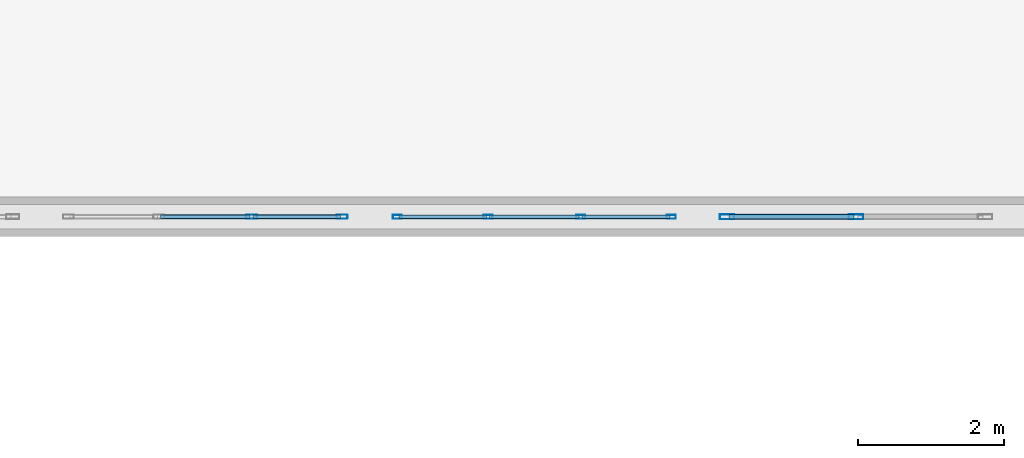
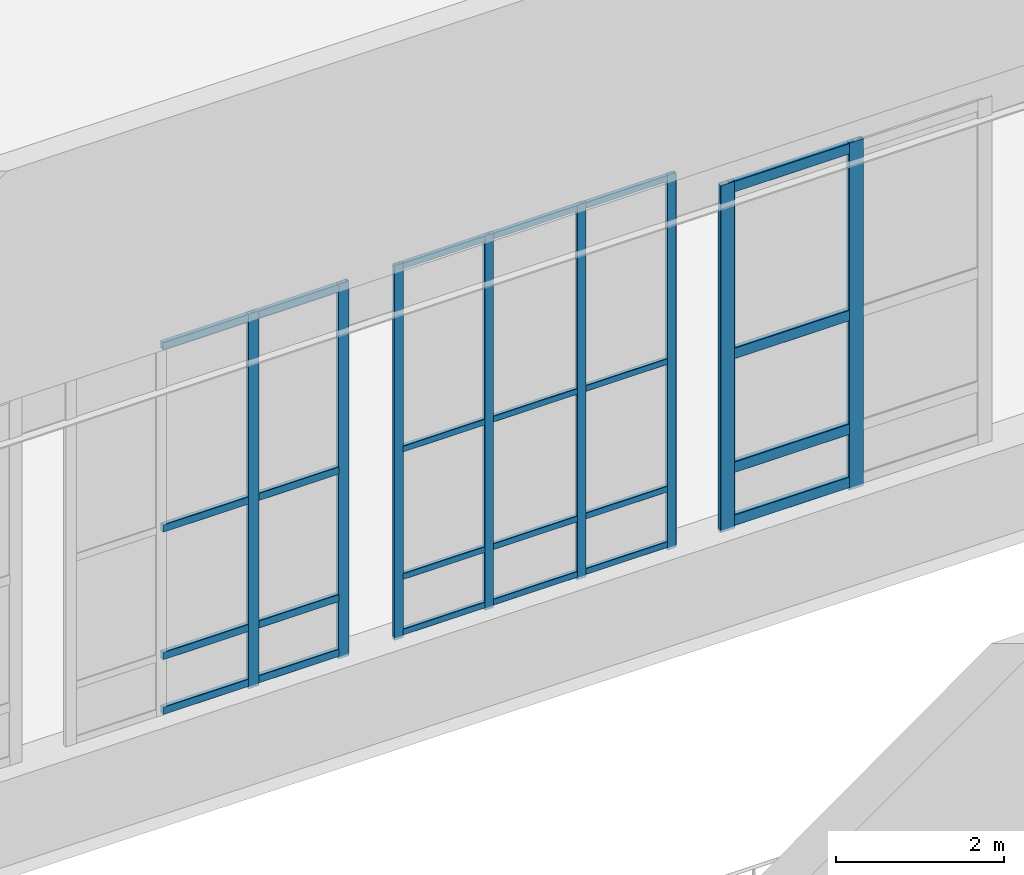
# One storey, part 21 of 97: 32 members, 3 elements without a shape of their own.
"""IFC4 building model written with IfcOpenShell, lengths in metres."""

from ifc_helpers import new_model, si_unit, derived_unit, direction, frame, origin, origin_2d, place, context, subcontext, project, spatial, hollow_rectangle, extrude, material, layer, layer_set, material_profile, profile_set, type_object, element, aggregate, save


model = new_model("IFC4")

# Units and contexts
model_context = context("Model", 3, precision=1e-05, world=origin(), true_north=direction((0.0, 1.0)))
body_context = subcontext(model_context, "Body", "Model", "MODEL_VIEW")
ifc_project = project(units=[si_unit("LENGTHUNIT", "METRE"), si_unit("AREAUNIT", "SQUARE_METRE"), si_unit("VOLUMEUNIT", "CUBIC_METRE"), si_unit("PLANEANGLEUNIT", "RADIAN"), si_unit("MASSUNIT", "GRAM", prefix="KILO"), derived_unit("THERMALTRANSMITTANCEUNIT", [(si_unit("POWERUNIT", "WATT"), 1), (si_unit("LENGTHUNIT", "METRE"), -2), (si_unit("THERMODYNAMICTEMPERATUREUNIT", "KELVIN"), -1)])], contexts=[model_context])

# Site, building, storey
site_placement = place(None, origin())
site = spatial("IfcSite", under=ifc_project, at=site_placement, CompositionType="ELEMENT")
building_placement = place(site_placement, origin())
building = spatial("IfcBuilding", under=site, at=building_placement, Name="Almenara Railside Exhibition Hall", CompositionType="ELEMENT")
storey_placement = place(building_placement, frame((0.0, 0.0, 10.800048828125)))
storey = spatial("IfcBuildingStorey", under=building, at=storey_placement, Name="L02", CompositionType="ELEMENT", Elevation=10.800048828125)

# Curtain wall, members
ifc_material_1 = material(Name="Bronze-anodised aluminium and low-E double glazing", Category="aluminium")
ifc_layer_1 = layer(ifc_material_1, 0.179931640625, Name="Bronze-anodised aluminium and low-E double glazing")
ifc_layer_set_1 = layer_set([ifc_layer_1], Name="Bronze-anodised aluminium and low-E double glazing")
curtain_wall_type_1 = type_object("IfcCurtainWallType", Name="Scroll Gable Tall Curtain Wall 3800x5400", PredefinedType="NOTDEFINED", material=ifc_layer_set_1)
curtain_wall_1_placement = place(storey_placement, origin())
curtain_wall_1 = element("IfcCurtainWall", 1, at=curtain_wall_1_placement, inside=storey, type_object=curtain_wall_type_1, Name="Curtain wall CW-G1-035", PredefinedType="NOTDEFINED")
ifc_material_2 = material(Name="Bronze-anodised aluminium", Category="aluminium")
ifc_material_profile_1 = material_profile(ifc_material_2, hollow_rectangle(XDim=0.054931640625, YDim=0.125, WallThickness=0.0029296875, InnerFilletRadius=0.0029296875, OuterFilletRadius=0.006103515625, at=origin_2d()), Name="ALU-MUL 55x125x3")
ifc_profile_set_1 = profile_set([ifc_material_profile_1], Name="Bronze-anodised aluminium")
member_type_1 = type_object("IfcMemberType", Name="Curtain Wall Mullion 55x125x3", PredefinedType="MULLION", material=ifc_profile_set_1)
member_1_placement = place(storey_placement, frame((41.2275390625, 48.0, 1.21484375), z_axis=(0.0, 0.0, 1.0), x_axis=(0.0, 1.0, 0.0)))
member_1 = element("IfcMember", 2, at=member_1_placement, type_object=member_type_1, Name="CW-G1-035 mullion 1", PredefinedType="MULLION", context=body_context, shape_type="SweptSolid", body=[
    extrude(hollow_rectangle(XDim=0.054931640625, YDim=0.125, WallThickness=0.0029296875, InnerFilletRadius=0.0029296875, OuterFilletRadius=0.006103515625, at=origin_2d()), origin(), (0.0, 0.0, 1.0), 5.43505859375),
])
member_2_placement = place(storey_placement, frame((42.466552734375, 48.0, 1.21484375), z_axis=(0.0, 0.0, 1.0), x_axis=(0.0, 1.0, 0.0)))
member_2 = element("IfcMember", 3, at=member_2_placement, type_object=member_type_1, Name="CW-G1-035 mullion 2", PredefinedType="MULLION", context=body_context, shape_type="SweptSolid", body=[
    extrude(hollow_rectangle(XDim=0.054931640625, YDim=0.125, WallThickness=0.0029296875, InnerFilletRadius=0.0029296875, OuterFilletRadius=0.006103515625, at=origin_2d()), origin(), (0.0, 0.0, 1.0), 5.43505859375),
])
member_3_placement = place(storey_placement, frame((43.7333984375, 48.0, 1.21484375), z_axis=(0.0, 0.0, 1.0), x_axis=(0.0, 1.0, 0.0)))
member_3 = element("IfcMember", 4, at=member_3_placement, type_object=member_type_1, Name="CW-G1-035 mullion 3", PredefinedType="MULLION", context=body_context, shape_type="SweptSolid", body=[
    extrude(hollow_rectangle(XDim=0.054931640625, YDim=0.125, WallThickness=0.0029296875, InnerFilletRadius=0.0029296875, OuterFilletRadius=0.006103515625, at=origin_2d()), origin(), (0.0, 0.0, 1.0), 5.43505859375),
])
member_4_placement = place(storey_placement, frame((44.972412109375, 48.0, 1.21484375), z_axis=(0.0, 0.0, 1.0), x_axis=(0.0, 1.0, 0.0)))
member_4 = element("IfcMember", 5, at=member_4_placement, type_object=member_type_1, Name="CW-G1-035 mullion 4", PredefinedType="MULLION", context=body_context, shape_type="SweptSolid", body=[
    extrude(hollow_rectangle(XDim=0.054931640625, YDim=0.125, WallThickness=0.0029296875, InnerFilletRadius=0.0029296875, OuterFilletRadius=0.006103515625, at=origin_2d()), origin(), (0.0, 0.0, 1.0), 5.43505859375),
])

curtain_wall_2_placement = place(storey_placement, origin())
curtain_wall_2 = element("IfcCurtainWall", 6, at=curtain_wall_2_placement, inside=storey, type_object=curtain_wall_type_1, Name="Curtain wall CW-G1-034", PredefinedType="NOTDEFINED")
ifc_material_profile_2 = material_profile(ifc_material_2, hollow_rectangle(XDim=0.06005859375, YDim=0.14990234375, WallThickness=0.00341796875, InnerFilletRadius=0.00341796875, OuterFilletRadius=0.007080078125, at=origin_2d()), Name="ALU-MUL 60x150x3.5")
ifc_profile_set_2 = profile_set([ifc_material_profile_2], Name="Bronze-anodised aluminium")
member_type_2 = type_object("IfcMemberType", Name="Curtain Wall Mullion 60x150x3.5", PredefinedType="MULLION", material=ifc_profile_set_2)
member_5_placement = place(storey_placement, frame((39.2333984375, 48.0, 1.21484375), z_axis=(0.0, 0.0, 1.0), x_axis=(0.0, 1.0, 0.0)))
member_5 = element("IfcMember", 7, at=member_5_placement, type_object=member_type_2, Name="CW-G1-034 mullion 3", PredefinedType="MULLION", context=body_context, shape_type="SweptSolid", body=[
    extrude(hollow_rectangle(XDim=0.06005859375, YDim=0.14990234375, WallThickness=0.00341796875, InnerFilletRadius=0.00341796875, OuterFilletRadius=0.007080078125, at=origin_2d()), origin(), (0.0, 0.0, 1.0), 5.43505859375),
])
member_6_placement = place(storey_placement, frame((40.469970703125, 48.0, 1.21484375), z_axis=(0.0, 0.0, 1.0), x_axis=(0.0, 1.0, 0.0)))
member_6 = element("IfcMember", 8, at=member_6_placement, type_object=member_type_2, Name="CW-G1-034 mullion 4", PredefinedType="MULLION", context=body_context, shape_type="SweptSolid", body=[
    extrude(hollow_rectangle(XDim=0.06005859375, YDim=0.14990234375, WallThickness=0.00341796875, InnerFilletRadius=0.00341796875, OuterFilletRadius=0.007080078125, at=origin_2d()), origin(), (0.0, 0.0, 1.0), 5.43505859375),
])

ifc_layer_2 = layer(ifc_material_1, 0.179931640625, Name="Bronze-anodised aluminium and low-E double glazing")
ifc_layer_set_2 = layer_set([ifc_layer_2], Name="Bronze-anodised aluminium and low-E double glazing")
curtain_wall_type_2 = type_object("IfcCurtainWallType", Name="Scroll Gable Standard Curtain Wall 3600x5000", PredefinedType="NOTDEFINED", material=ifc_layer_set_2)
curtain_wall_3_placement = place(storey_placement, origin())
curtain_wall_3 = element("IfcCurtainWall", 9, at=curtain_wall_3_placement, inside=storey, type_object=curtain_wall_type_2, Name="Curtain wall CW-G2-036", PredefinedType="NOTDEFINED")
ifc_material_profile_3 = material_profile(ifc_material_2, hollow_rectangle(XDim=0.070068359375, YDim=0.199951171875, WallThickness=0.00439453125, InnerFilletRadius=0.00439453125, OuterFilletRadius=0.009033203125, at=origin_2d()), Name="ALU-MUL 70x200x4.5")
ifc_profile_set_3 = profile_set([ifc_material_profile_3], Name="Bronze-anodised aluminium")
member_type_3 = type_object("IfcMemberType", Name="Curtain Wall Mullion 70x200x4.5", PredefinedType="MULLION", material=ifc_profile_set_3)
member_7_placement = place(storey_placement, frame((45.735107421875, 48.0, 1.21484375), z_axis=(0.0, 0.0, 1.0), x_axis=(0.0, 1.0, 0.0)))
member_7 = element("IfcMember", 10, at=member_7_placement, type_object=member_type_3, Name="CW-G2-036 mullion 1", PredefinedType="MULLION", context=body_context, shape_type="SweptSolid", body=[
    extrude(hollow_rectangle(XDim=0.070068359375, YDim=0.199951171875, WallThickness=0.00439453125, InnerFilletRadius=0.00439453125, OuterFilletRadius=0.009033203125, at=origin_2d()), origin(), (0.0, 0.0, 1.0), 5.03515625),
])
member_8_placement = place(storey_placement, frame((47.5, 48.0, 1.21484375), z_axis=(0.0, 0.0, 1.0), x_axis=(0.0, 1.0, 0.0)))
member_8 = element("IfcMember", 11, at=member_8_placement, type_object=member_type_3, Name="CW-G2-036 mullion 2", PredefinedType="MULLION", context=body_context, shape_type="SweptSolid", body=[
    extrude(hollow_rectangle(XDim=0.070068359375, YDim=0.199951171875, WallThickness=0.00439453125, InnerFilletRadius=0.00439453125, OuterFilletRadius=0.009033203125, at=origin_2d()), origin(), (0.0, 0.0, 1.0), 5.03515625),
])

# Member
ifc_material_profile_4 = material_profile(ifc_material_2, hollow_rectangle(XDim=0.054931640625, YDim=0.090087890625, WallThickness=0.0029296875, InnerFilletRadius=0.0029296875, OuterFilletRadius=0.006103515625, at=origin_2d()), Name="ALU-TRN 55x90x3")
ifc_profile_set_4 = profile_set([ifc_material_profile_4], Name="Bronze-anodised aluminium")
member_type_4 = type_object("IfcMemberType", Name="Curtain Wall Transom 55x90x3", PredefinedType="USERDEFINED", material=ifc_profile_set_4)
member_9_placement = place(storey_placement, frame((41.2470703125, 48.0, 1.294921875), z_axis=(1.0, 0.0, 0.0), x_axis=(0.0, 1.0, 0.0)))
member_9 = element("IfcMember", 12, at=member_9_placement, type_object=member_type_4, Name="CW-G1-035 transom 1.1", ObjectType="TRANSOM", PredefinedType="USERDEFINED", context=body_context, shape_type="SweptSolid", body=[
    extrude(hollow_rectangle(XDim=0.054931640625, YDim=0.090087890625, WallThickness=0.0029296875, InnerFilletRadius=0.0029296875, OuterFilletRadius=0.006103515625, at=origin_2d()), origin(), (0.0, 0.0, 1.0), 1.2001953125),
])

member_10_placement = place(storey_placement, frame((41.2470703125, 48.0, 2.099853515625), z_axis=(1.0, 0.0, 0.0), x_axis=(0.0, 1.0, 0.0)))
member_10 = element("IfcMember", 13, at=member_10_placement, type_object=member_type_4, Name="CW-G1-035 transom 1.2", ObjectType="TRANSOM", PredefinedType="USERDEFINED", context=body_context, shape_type="SweptSolid", body=[
    extrude(hollow_rectangle(XDim=0.054931640625, YDim=0.090087890625, WallThickness=0.0029296875, InnerFilletRadius=0.0029296875, OuterFilletRadius=0.006103515625, at=origin_2d()), origin(), (0.0, 0.0, 1.0), 1.2001953125),
])

member_11_placement = place(storey_placement, frame((41.2470703125, 48.0, 3.949951171875), z_axis=(1.0, 0.0, 0.0), x_axis=(0.0, 1.0, 0.0)))
member_11 = element("IfcMember", 14, at=member_11_placement, type_object=member_type_4, Name="CW-G1-035 transom 1.3", ObjectType="TRANSOM", PredefinedType="USERDEFINED", context=body_context, shape_type="SweptSolid", body=[
    extrude(hollow_rectangle(XDim=0.054931640625, YDim=0.090087890625, WallThickness=0.0029296875, InnerFilletRadius=0.0029296875, OuterFilletRadius=0.006103515625, at=origin_2d()), origin(), (0.0, 0.0, 1.0), 1.2001953125),
])

member_12_placement = place(storey_placement, frame((41.2470703125, 48.0, 6.60498046875), z_axis=(1.0, 0.0, 0.0), x_axis=(0.0, 1.0, 0.0)))
member_12 = element("IfcMember", 15, at=member_12_placement, type_object=member_type_4, Name="CW-G1-035 transom 1.4", ObjectType="TRANSOM", PredefinedType="USERDEFINED", context=body_context, shape_type="SweptSolid", body=[
    extrude(hollow_rectangle(XDim=0.054931640625, YDim=0.090087890625, WallThickness=0.0029296875, InnerFilletRadius=0.0029296875, OuterFilletRadius=0.006103515625, at=origin_2d()), origin(), (0.0, 0.0, 1.0), 1.2001953125),
])

member_13_placement = place(storey_placement, frame((42.486083984375, 48.0, 1.294921875), z_axis=(1.0, 0.0, 0.0), x_axis=(0.0, 1.0, 0.0)))
member_13 = element("IfcMember", 16, at=member_13_placement, type_object=member_type_4, Name="CW-G1-035 transom 2.1", ObjectType="TRANSOM", PredefinedType="USERDEFINED", context=body_context, shape_type="SweptSolid", body=[
    extrude(hollow_rectangle(XDim=0.054931640625, YDim=0.090087890625, WallThickness=0.0029296875, InnerFilletRadius=0.0029296875, OuterFilletRadius=0.006103515625, at=origin_2d()), origin(), (0.0, 0.0, 1.0), 1.227783203125),
])

member_14_placement = place(storey_placement, frame((42.486083984375, 48.0, 2.099853515625), z_axis=(1.0, 0.0, 0.0), x_axis=(0.0, 1.0, 0.0)))
member_14 = element("IfcMember", 17, at=member_14_placement, type_object=member_type_4, Name="CW-G1-035 transom 2.2", ObjectType="TRANSOM", PredefinedType="USERDEFINED", context=body_context, shape_type="SweptSolid", body=[
    extrude(hollow_rectangle(XDim=0.054931640625, YDim=0.090087890625, WallThickness=0.0029296875, InnerFilletRadius=0.0029296875, OuterFilletRadius=0.006103515625, at=origin_2d()), origin(), (0.0, 0.0, 1.0), 1.227783203125),
])

member_15_placement = place(storey_placement, frame((42.486083984375, 48.0, 3.949951171875), z_axis=(1.0, 0.0, 0.0), x_axis=(0.0, 1.0, 0.0)))
member_15 = element("IfcMember", 18, at=member_15_placement, type_object=member_type_4, Name="CW-G1-035 transom 2.3", ObjectType="TRANSOM", PredefinedType="USERDEFINED", context=body_context, shape_type="SweptSolid", body=[
    extrude(hollow_rectangle(XDim=0.054931640625, YDim=0.090087890625, WallThickness=0.0029296875, InnerFilletRadius=0.0029296875, OuterFilletRadius=0.006103515625, at=origin_2d()), origin(), (0.0, 0.0, 1.0), 1.227783203125),
])

member_16_placement = place(storey_placement, frame((42.486083984375, 48.0, 6.60498046875), z_axis=(1.0, 0.0, 0.0), x_axis=(0.0, 1.0, 0.0)))
member_16 = element("IfcMember", 19, at=member_16_placement, type_object=member_type_4, Name="CW-G1-035 transom 2.4", ObjectType="TRANSOM", PredefinedType="USERDEFINED", context=body_context, shape_type="SweptSolid", body=[
    extrude(hollow_rectangle(XDim=0.054931640625, YDim=0.090087890625, WallThickness=0.0029296875, InnerFilletRadius=0.0029296875, OuterFilletRadius=0.006103515625, at=origin_2d()), origin(), (0.0, 0.0, 1.0), 1.227783203125),
])

member_17_placement = place(storey_placement, frame((43.7529296875, 48.0, 1.294921875), z_axis=(1.0, 0.0, 0.0), x_axis=(0.0, 1.0, 0.0)))
member_17 = element("IfcMember", 20, at=member_17_placement, type_object=member_type_4, Name="CW-G1-035 transom 3.1", ObjectType="TRANSOM", PredefinedType="USERDEFINED", context=body_context, shape_type="SweptSolid", body=[
    extrude(hollow_rectangle(XDim=0.054931640625, YDim=0.090087890625, WallThickness=0.0029296875, InnerFilletRadius=0.0029296875, OuterFilletRadius=0.006103515625, at=origin_2d()), origin(), (0.0, 0.0, 1.0), 1.199951171875),
])

member_18_placement = place(storey_placement, frame((43.7529296875, 48.0, 2.099853515625), z_axis=(1.0, 0.0, 0.0), x_axis=(0.0, 1.0, 0.0)))
member_18 = element("IfcMember", 21, at=member_18_placement, type_object=member_type_4, Name="CW-G1-035 transom 3.2", ObjectType="TRANSOM", PredefinedType="USERDEFINED", context=body_context, shape_type="SweptSolid", body=[
    extrude(hollow_rectangle(XDim=0.054931640625, YDim=0.090087890625, WallThickness=0.0029296875, InnerFilletRadius=0.0029296875, OuterFilletRadius=0.006103515625, at=origin_2d()), origin(), (0.0, 0.0, 1.0), 1.199951171875),
])

member_19_placement = place(storey_placement, frame((43.7529296875, 48.0, 3.949951171875), z_axis=(1.0, 0.0, 0.0), x_axis=(0.0, 1.0, 0.0)))
member_19 = element("IfcMember", 22, at=member_19_placement, type_object=member_type_4, Name="CW-G1-035 transom 3.3", ObjectType="TRANSOM", PredefinedType="USERDEFINED", context=body_context, shape_type="SweptSolid", body=[
    extrude(hollow_rectangle(XDim=0.054931640625, YDim=0.090087890625, WallThickness=0.0029296875, InnerFilletRadius=0.0029296875, OuterFilletRadius=0.006103515625, at=origin_2d()), origin(), (0.0, 0.0, 1.0), 1.199951171875),
])

member_20_placement = place(storey_placement, frame((43.7529296875, 48.0, 6.60498046875), z_axis=(1.0, 0.0, 0.0), x_axis=(0.0, 1.0, 0.0)))
member_20 = element("IfcMember", 23, at=member_20_placement, type_object=member_type_4, Name="CW-G1-035 transom 3.4", ObjectType="TRANSOM", PredefinedType="USERDEFINED", context=body_context, shape_type="SweptSolid", body=[
    extrude(hollow_rectangle(XDim=0.054931640625, YDim=0.090087890625, WallThickness=0.0029296875, InnerFilletRadius=0.0029296875, OuterFilletRadius=0.006103515625, at=origin_2d()), origin(), (0.0, 0.0, 1.0), 1.199951171875),
])

aggregate(curtain_wall_1, [member_1, member_2, member_3, member_4, member_9, member_10, member_11, member_12, member_13, member_14, member_15, member_16, member_17, member_18, member_19, member_20])

ifc_material_profile_5 = material_profile(ifc_material_2, hollow_rectangle(XDim=0.06005859375, YDim=0.110107421875, WallThickness=0.0029296875, InnerFilletRadius=0.0029296875, OuterFilletRadius=0.006103515625, at=origin_2d()), Name="ALU-TRN 60x110x3")
ifc_profile_set_5 = profile_set([ifc_material_profile_5], Name="Bronze-anodised aluminium")
member_type_5 = type_object("IfcMemberType", Name="Curtain Wall Transom 60x110x3", PredefinedType="USERDEFINED", material=ifc_profile_set_5)
member_21_placement = place(storey_placement, frame((37.98876953125, 48.0, 1.304931640625), z_axis=(1.0, 0.0, 0.0), x_axis=(0.0, 1.0, 0.0)))
member_21 = element("IfcMember", 24, at=member_21_placement, type_object=member_type_5, Name="CW-G1-034 transom 2.1", ObjectType="TRANSOM", PredefinedType="USERDEFINED", context=body_context, shape_type="SweptSolid", body=[
    extrude(hollow_rectangle(XDim=0.06005859375, YDim=0.110107421875, WallThickness=0.0029296875, InnerFilletRadius=0.0029296875, OuterFilletRadius=0.006103515625, at=origin_2d()), origin(), (0.0, 0.0, 1.0), 1.22265625),
])

member_22_placement = place(storey_placement, frame((37.98876953125, 48.0, 2.099853515625), z_axis=(1.0, 0.0, 0.0), x_axis=(0.0, 1.0, 0.0)))
member_22 = element("IfcMember", 25, at=member_22_placement, type_object=member_type_5, Name="CW-G1-034 transom 2.2", ObjectType="TRANSOM", PredefinedType="USERDEFINED", context=body_context, shape_type="SweptSolid", body=[
    extrude(hollow_rectangle(XDim=0.06005859375, YDim=0.110107421875, WallThickness=0.0029296875, InnerFilletRadius=0.0029296875, OuterFilletRadius=0.006103515625, at=origin_2d()), origin(), (0.0, 0.0, 1.0), 1.22265625),
])

member_23_placement = place(storey_placement, frame((37.98876953125, 48.0, 3.949951171875), z_axis=(1.0, 0.0, 0.0), x_axis=(0.0, 1.0, 0.0)))
member_23 = element("IfcMember", 26, at=member_23_placement, type_object=member_type_5, Name="CW-G1-034 transom 2.3", ObjectType="TRANSOM", PredefinedType="USERDEFINED", context=body_context, shape_type="SweptSolid", body=[
    extrude(hollow_rectangle(XDim=0.06005859375, YDim=0.110107421875, WallThickness=0.0029296875, InnerFilletRadius=0.0029296875, OuterFilletRadius=0.006103515625, at=origin_2d()), origin(), (0.0, 0.0, 1.0), 1.22265625),
])

member_24_placement = place(storey_placement, frame((37.98876953125, 48.0, 6.594970703125), z_axis=(1.0, 0.0, 0.0), x_axis=(0.0, 1.0, 0.0)))
member_24 = element("IfcMember", 27, at=member_24_placement, type_object=member_type_5, Name="CW-G1-034 transom 2.4", ObjectType="TRANSOM", PredefinedType="USERDEFINED", context=body_context, shape_type="SweptSolid", body=[
    extrude(hollow_rectangle(XDim=0.06005859375, YDim=0.110107421875, WallThickness=0.0029296875, InnerFilletRadius=0.0029296875, OuterFilletRadius=0.006103515625, at=origin_2d()), origin(), (0.0, 0.0, 1.0), 1.22265625),
])

member_25_placement = place(storey_placement, frame((39.25537109375, 48.0, 1.304931640625), z_axis=(1.0, 0.0, 0.0), x_axis=(0.0, 1.0, 0.0)))
member_25 = element("IfcMember", 28, at=member_25_placement, type_object=member_type_5, Name="CW-G1-034 transom 3.1", ObjectType="TRANSOM", PredefinedType="USERDEFINED", context=body_context, shape_type="SweptSolid", body=[
    extrude(hollow_rectangle(XDim=0.06005859375, YDim=0.110107421875, WallThickness=0.0029296875, InnerFilletRadius=0.0029296875, OuterFilletRadius=0.006103515625, at=origin_2d()), origin(), (0.0, 0.0, 1.0), 1.192626953125),
])

member_26_placement = place(storey_placement, frame((39.25537109375, 48.0, 2.099853515625), z_axis=(1.0, 0.0, 0.0), x_axis=(0.0, 1.0, 0.0)))
member_26 = element("IfcMember", 29, at=member_26_placement, type_object=member_type_5, Name="CW-G1-034 transom 3.2", ObjectType="TRANSOM", PredefinedType="USERDEFINED", context=body_context, shape_type="SweptSolid", body=[
    extrude(hollow_rectangle(XDim=0.06005859375, YDim=0.110107421875, WallThickness=0.0029296875, InnerFilletRadius=0.0029296875, OuterFilletRadius=0.006103515625, at=origin_2d()), origin(), (0.0, 0.0, 1.0), 1.192626953125),
])

member_27_placement = place(storey_placement, frame((39.25537109375, 48.0, 3.949951171875), z_axis=(1.0, 0.0, 0.0), x_axis=(0.0, 1.0, 0.0)))
member_27 = element("IfcMember", 30, at=member_27_placement, type_object=member_type_5, Name="CW-G1-034 transom 3.3", ObjectType="TRANSOM", PredefinedType="USERDEFINED", context=body_context, shape_type="SweptSolid", body=[
    extrude(hollow_rectangle(XDim=0.06005859375, YDim=0.110107421875, WallThickness=0.0029296875, InnerFilletRadius=0.0029296875, OuterFilletRadius=0.006103515625, at=origin_2d()), origin(), (0.0, 0.0, 1.0), 1.192626953125),
])

member_28_placement = place(storey_placement, frame((39.25537109375, 48.0, 6.594970703125), z_axis=(1.0, 0.0, 0.0), x_axis=(0.0, 1.0, 0.0)))
member_28 = element("IfcMember", 31, at=member_28_placement, type_object=member_type_5, Name="CW-G1-034 transom 3.4", ObjectType="TRANSOM", PredefinedType="USERDEFINED", context=body_context, shape_type="SweptSolid", body=[
    extrude(hollow_rectangle(XDim=0.06005859375, YDim=0.110107421875, WallThickness=0.0029296875, InnerFilletRadius=0.0029296875, OuterFilletRadius=0.006103515625, at=origin_2d()), origin(), (0.0, 0.0, 1.0), 1.192626953125),
])

aggregate(curtain_wall_2, [member_5, member_6, member_21, member_22, member_23, member_24, member_25, member_26, member_27, member_28])

ifc_material_profile_6 = material_profile(ifc_material_2, hollow_rectangle(XDim=0.070068359375, YDim=0.159912109375, WallThickness=0.00390625, InnerFilletRadius=0.00390625, OuterFilletRadius=0.008056640625, at=origin_2d()), Name="ALU-TRN 70x160x4")
ifc_profile_set_6 = profile_set([ifc_material_profile_6], Name="Bronze-anodised aluminium")
member_type_6 = type_object("IfcMemberType", Name="Curtain Wall Transom 70x160x4", PredefinedType="USERDEFINED", material=ifc_profile_set_6)
member_29_placement = place(storey_placement, frame((45.761962890625, 48.0, 1.329833984375), z_axis=(1.0, 0.0, 0.0), x_axis=(0.0, 1.0, 0.0)))
member_29 = element("IfcMember", 32, at=member_29_placement, type_object=member_type_6, Name="CW-G2-036 transom 1.1", ObjectType="TRANSOM", PredefinedType="USERDEFINED", context=body_context, shape_type="SweptSolid", body=[
    extrude(hollow_rectangle(XDim=0.070068359375, YDim=0.159912109375, WallThickness=0.00390625, InnerFilletRadius=0.00390625, OuterFilletRadius=0.008056640625, at=origin_2d()), origin(), (0.0, 0.0, 1.0), 1.7109375),
])

member_30_placement = place(storey_placement, frame((45.761962890625, 48.0, 2.099853515625), z_axis=(1.0, 0.0, 0.0), x_axis=(0.0, 1.0, 0.0)))
member_30 = element("IfcMember", 33, at=member_30_placement, type_object=member_type_6, Name="CW-G2-036 transom 1.2", ObjectType="TRANSOM", PredefinedType="USERDEFINED", context=body_context, shape_type="SweptSolid", body=[
    extrude(hollow_rectangle(XDim=0.070068359375, YDim=0.159912109375, WallThickness=0.00390625, InnerFilletRadius=0.00390625, OuterFilletRadius=0.008056640625, at=origin_2d()), origin(), (0.0, 0.0, 1.0), 1.7109375),
])

member_31_placement = place(storey_placement, frame((45.761962890625, 48.0, 3.75), z_axis=(1.0, 0.0, 0.0), x_axis=(0.0, 1.0, 0.0)))
member_31 = element("IfcMember", 34, at=member_31_placement, type_object=member_type_6, Name="CW-G2-036 transom 1.3", ObjectType="TRANSOM", PredefinedType="USERDEFINED", context=body_context, shape_type="SweptSolid", body=[
    extrude(hollow_rectangle(XDim=0.070068359375, YDim=0.159912109375, WallThickness=0.00390625, InnerFilletRadius=0.00390625, OuterFilletRadius=0.008056640625, at=origin_2d()), origin(), (0.0, 0.0, 1.0), 1.7109375),
])

member_32_placement = place(storey_placement, frame((45.761962890625, 48.0, 6.169921875), z_axis=(1.0, 0.0, 0.0), x_axis=(0.0, 1.0, 0.0)))
member_32 = element("IfcMember", 35, at=member_32_placement, type_object=member_type_6, Name="CW-G2-036 transom 1.4", ObjectType="TRANSOM", PredefinedType="USERDEFINED", context=body_context, shape_type="SweptSolid", body=[
    extrude(hollow_rectangle(XDim=0.070068359375, YDim=0.159912109375, WallThickness=0.00390625, InnerFilletRadius=0.00390625, OuterFilletRadius=0.008056640625, at=origin_2d()), origin(), (0.0, 0.0, 1.0), 1.7109375),
])

aggregate(curtain_wall_3, [member_7, member_8, member_29, member_30, member_31, member_32])

save(model, "model.ifc")
